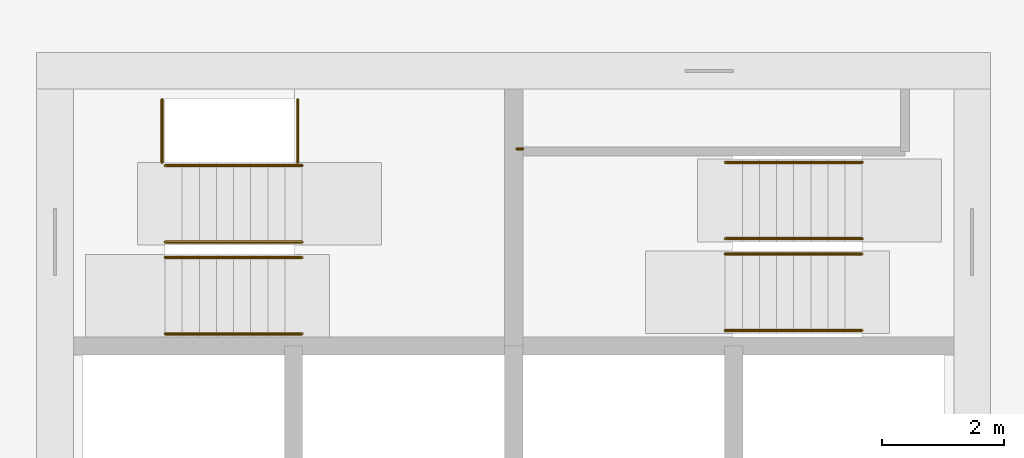
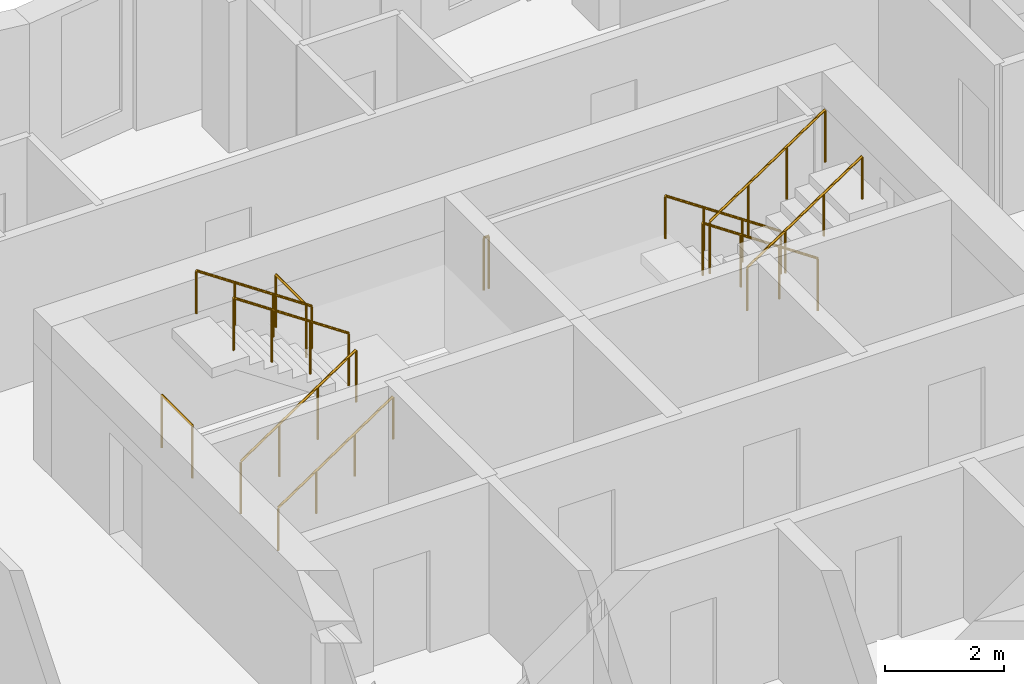
# One storey, part 11 of 12: 11 railings.
"""IFC4 building model written with IfcOpenShell, lengths in metres."""

from ifc_helpers import new_model, si_unit, direction, frame, origin, origin_2d, place, context, subcontext, project, spatial, circle, extrude, material, type_object, element, save


model = new_model("IFC4")

# Units and contexts
model_context = context("Model", 3, precision=1e-05, world=origin(), true_north=direction((0.0, 1.0)))
body_context = subcontext(model_context, "Body", "Model", "MODEL_VIEW")
ifc_project = project(units=[si_unit("LENGTHUNIT", "METRE"), si_unit("AREAUNIT", "SQUARE_METRE"), si_unit("VOLUMEUNIT", "CUBIC_METRE"), si_unit("PLANEANGLEUNIT", "RADIAN"), si_unit("MASSUNIT", "GRAM", prefix="KILO")], contexts=[model_context])

# Site, building, storey
site_placement = place(None, origin())
site = spatial("IfcSite", under=ifc_project, at=site_placement, CompositionType="ELEMENT")
building_placement = place(site_placement, origin())
building = spatial("IfcBuilding", under=site, at=building_placement, Name="Windrow Commons", CompositionType="ELEMENT")
storey_placement = place(building_placement, frame((0.0, 0.0, 162.6)))
storey = spatial("IfcBuildingStorey", under=building, at=storey_placement, Name="L44", CompositionType="ELEMENT", Elevation=162.6)

# Railings
ifc_material_1 = material(Name="Steel S355", Category="steel")
railing_type_1 = type_object("IfcRailingType", Name="Core stair guard 1100", PredefinedType="GUARDRAIL", material=ifc_material_1)
railing_1_placement = place(storey_placement, frame((59.1, 62.05, 0.1889)))
element("IfcRailing", 1, at=railing_1_placement, inside=storey, type_object=railing_type_1, Name="L44 ST-A1 stair guard 1", PredefinedType="GUARDRAIL", context=body_context, shape_type="SweptSolid", body=[
    extrude(circle(Radius=0.024, at=origin_2d()), frame((0.0, 0.0, 1.076), z_axis=(0.8290030985, 0.0, 0.5592440099), x_axis=(0.0, 1.0, 0.0)), (0.0, 0.0, 1.0), 2.702),
    extrude(circle(Radius=0.021, at=origin_2d()), origin(), (0.0, 0.0, 1.0), 1.052),
    extrude(circle(Radius=0.021, at=origin_2d()), frame((0.7467, 0.0, 0.5037)), (0.0, 0.0, 1.0), 1.052),
    extrude(circle(Radius=0.021, at=origin_2d()), frame((1.4933, 0.0, 1.0074)), (0.0, 0.0, 1.0), 1.052),
    extrude(circle(Radius=0.021, at=origin_2d()), frame((2.24, 0.0, 1.5111)), (0.0, 0.0, 1.0), 1.052),
])
railing_2_placement = place(storey_placement, frame((61.34, 62.3, 1.8889)))
element("IfcRailing", 2, at=railing_2_placement, inside=storey, type_object=railing_type_1, Name="L44 ST-A1 stair guard 2", PredefinedType="GUARDRAIL", context=body_context, shape_type="SweptSolid", body=[
    extrude(circle(Radius=0.024, at=origin_2d()), frame((0.0, 0.0, 1.076), z_axis=(-0.8290030985, 0.0, 0.5592440099), x_axis=(0.0, -1.0, 0.0)), (0.0, 0.0, 1.0), 2.702),
    extrude(circle(Radius=0.021, at=origin_2d()), origin(), (0.0, 0.0, 1.0), 1.052),
    extrude(circle(Radius=0.021, at=origin_2d()), frame((-0.7467, 0.0, 0.5037)), (0.0, 0.0, 1.0), 1.052),
    extrude(circle(Radius=0.021, at=origin_2d()), frame((-1.4933, 0.0, 1.0074)), (0.0, 0.0, 1.0), 1.052),
    extrude(circle(Radius=0.021, at=origin_2d()), frame((-2.24, 0.0, 1.5111)), (0.0, 0.0, 1.0), 1.052),
])
for number, where, name in (
    (3, (59.05, 63.6, 0.0), "L44 ST-A1 stair guard 3"),
    (4, (61.27, 63.6, 1.7), "L44 ST-A1 stair guard 4"),
):
    element("IfcRailing", number, at=place(storey_placement, frame(where)), inside=storey, type_object=railing_type_1, Name=name, PredefinedType="GUARDRAIL", context=body_context, shape_type="SweptSolid", body=[
        extrude(circle(Radius=0.024, at=origin_2d()), frame((0.0, 0.0, 1.076), z_axis=(0.0, 1.0, 0.0), x_axis=(-1.0, 0.0, 0.0)), (0.0, 0.0, 1.0), 1.03),
        extrude(circle(Radius=0.021, at=origin_2d()), origin(), (0.0, 0.0, 1.0), 1.052),
        extrude(circle(Radius=0.021, at=origin_2d()), frame((0.0, 1.03, 0.0)), (0.0, 0.0, 1.0), 1.052),
    ])
railing_3_placement = place(storey_placement, frame((70.5, 62.355, 0.1889)))
element("IfcRailing", 5, at=railing_3_placement, inside=storey, type_object=railing_type_1, Name="L44 ST-A2 stair guard 1", PredefinedType="GUARDRAIL", context=body_context, shape_type="SweptSolid", body=[
    extrude(circle(Radius=0.024, at=origin_2d()), frame((0.0, 0.0, 1.076), z_axis=(-0.8290030985, 0.0, 0.5592440099), x_axis=(0.0, -1.0, 0.0)), (0.0, 0.0, 1.0), 2.702),
    extrude(circle(Radius=0.021, at=origin_2d()), origin(), (0.0, 0.0, 1.0), 1.052),
    extrude(circle(Radius=0.021, at=origin_2d()), frame((-0.7467, 0.0, 0.5037)), (0.0, 0.0, 1.0), 1.052),
    extrude(circle(Radius=0.021, at=origin_2d()), frame((-1.4933, 0.0, 1.0074)), (0.0, 0.0, 1.0), 1.052),
    extrude(circle(Radius=0.021, at=origin_2d()), frame((-2.24, 0.0, 1.5111)), (0.0, 0.0, 1.0), 1.052),
])
railing_4_placement = place(storey_placement, frame((68.26, 62.105, 1.8889)))
element("IfcRailing", 6, at=railing_4_placement, inside=storey, type_object=railing_type_1, Name="L44 ST-A2 stair guard 2", PredefinedType="GUARDRAIL", context=body_context, shape_type="SweptSolid", body=[
    extrude(circle(Radius=0.024, at=origin_2d()), frame((0.0, 0.0, 1.076), z_axis=(0.8290030985, 0.0, 0.5592440099), x_axis=(0.0, 1.0, 0.0)), (0.0, 0.0, 1.0), 2.702),
    extrude(circle(Radius=0.021, at=origin_2d()), origin(), (0.0, 0.0, 1.0), 1.052),
    extrude(circle(Radius=0.021, at=origin_2d()), frame((0.7467, 0.0, 0.5037)), (0.0, 0.0, 1.0), 1.052),
    extrude(circle(Radius=0.021, at=origin_2d()), frame((1.4933, 0.0, 1.0074)), (0.0, 0.0, 1.0), 1.052),
    extrude(circle(Radius=0.021, at=origin_2d()), frame((2.24, 0.0, 1.5111)), (0.0, 0.0, 1.0), 1.052),
])
railing_5_placement = place(storey_placement, frame((64.95, 63.825, 1.7)))
element("IfcRailing", 7, at=railing_5_placement, inside=storey, type_object=railing_type_1, Name="L44 ST-A2 stair guard 3", PredefinedType="GUARDRAIL", context=body_context, shape_type="SweptSolid", body=[
    extrude(circle(Radius=0.024, at=origin_2d()), frame((0.0, 0.0, 1.076), z_axis=(-1.0, 0.0, 0.0), x_axis=(0.0, -1.0, 0.0)), (0.0, 0.0, 1.0), 0.1),
    extrude(circle(Radius=0.021, at=origin_2d()), origin(), (0.0, 0.0, 1.0), 1.052),
    extrude(circle(Radius=0.021, at=origin_2d()), frame((-0.1, 0.0, 0.0)), (0.0, 0.0, 1.0), 1.052),
])
ifc_material_2 = material(Name="Steel S355", Category="steel")
railing_type_2 = type_object("IfcRailingType", Name="Core stair handrail 900", PredefinedType="HANDRAIL", material=ifc_material_2)
railing_6_placement = place(storey_placement, frame((59.1, 60.8, 0.1889)))
element("IfcRailing", 8, at=railing_6_placement, inside=storey, type_object=railing_type_2, Name="L44 ST-A1 stair handrail 1", PredefinedType="HANDRAIL", context=body_context, shape_type="SweptSolid", body=[
    extrude(circle(Radius=0.024, at=origin_2d()), frame((0.0, 0.0, 0.876), z_axis=(0.8290030985, 0.0, 0.5592440099), x_axis=(0.0, 1.0, 0.0)), (0.0, 0.0, 1.0), 2.702),
    extrude(circle(Radius=0.021, at=origin_2d()), origin(), (0.0, 0.0, 1.0), 0.852),
    extrude(circle(Radius=0.021, at=origin_2d()), frame((0.7467, 0.0, 0.5037)), (0.0, 0.0, 1.0), 0.852),
    extrude(circle(Radius=0.021, at=origin_2d()), frame((1.4933, 0.0, 1.0074)), (0.0, 0.0, 1.0), 0.852),
    extrude(circle(Radius=0.021, at=origin_2d()), frame((2.24, 0.0, 1.5111)), (0.0, 0.0, 1.0), 0.852),
])
for number, where, name in (
    (9, (61.34, 63.55, 1.8889), "L44 ST-A1 stair handrail 2"),
    (10, (70.5, 63.605, 0.1889), "L44 ST-A2 stair handrail 1"),
):
    element("IfcRailing", number, at=place(storey_placement, frame(where)), inside=storey, type_object=railing_type_2, Name=name, PredefinedType="HANDRAIL", context=body_context, shape_type="SweptSolid", body=[
        extrude(circle(Radius=0.024, at=origin_2d()), frame((0.0, 0.0, 0.876), z_axis=(-0.8290030985, 0.0, 0.5592440099), x_axis=(0.0, -1.0, 0.0)), (0.0, 0.0, 1.0), 2.702),
        extrude(circle(Radius=0.021, at=origin_2d()), origin(), (0.0, 0.0, 1.0), 0.852),
        extrude(circle(Radius=0.021, at=origin_2d()), frame((-0.7467, 0.0, 0.5037)), (0.0, 0.0, 1.0), 0.852),
        extrude(circle(Radius=0.021, at=origin_2d()), frame((-1.4933, 0.0, 1.0074)), (0.0, 0.0, 1.0), 0.852),
        extrude(circle(Radius=0.021, at=origin_2d()), frame((-2.24, 0.0, 1.5111)), (0.0, 0.0, 1.0), 0.852),
    ])
railing_7_placement = place(storey_placement, frame((68.26, 60.855, 1.8889)))
element("IfcRailing", 11, at=railing_7_placement, inside=storey, type_object=railing_type_2, Name="L44 ST-A2 stair handrail 2", PredefinedType="HANDRAIL", context=body_context, shape_type="SweptSolid", body=[
    extrude(circle(Radius=0.024, at=origin_2d()), frame((0.0, 0.0, 0.876), z_axis=(0.8290030985, 0.0, 0.5592440099), x_axis=(0.0, 1.0, 0.0)), (0.0, 0.0, 1.0), 2.702),
    extrude(circle(Radius=0.021, at=origin_2d()), origin(), (0.0, 0.0, 1.0), 0.852),
    extrude(circle(Radius=0.021, at=origin_2d()), frame((0.7467, 0.0, 0.5037)), (0.0, 0.0, 1.0), 0.852),
    extrude(circle(Radius=0.021, at=origin_2d()), frame((1.4933, 0.0, 1.0074)), (0.0, 0.0, 1.0), 0.852),
    extrude(circle(Radius=0.021, at=origin_2d()), frame((2.24, 0.0, 1.5111)), (0.0, 0.0, 1.0), 0.852),
])

save(model, "model.ifc")
